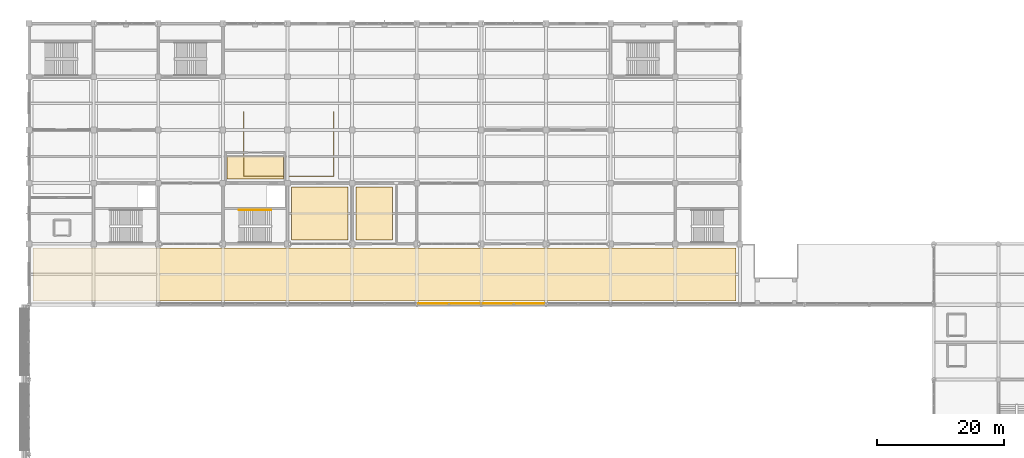
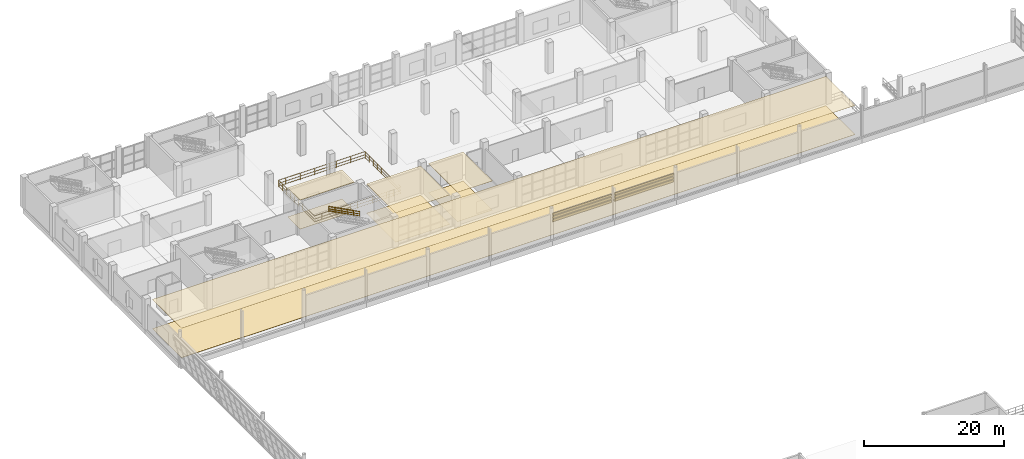
# One storey, part 162 of 175: 14 coverings, 2 railings.
"""IFC4 building model written with IfcOpenShell, lengths in metres."""

from ifc_helpers import new_model, si_unit, direction, frame, origin, origin_2d, place, context, subcontext, project, spatial, polyline, circle, outline, extrude, material, layer, layer_set, type_object, element, save


model = new_model("IFC4")

# Units and contexts
model_context = context("Model", 3, precision=1e-05, world=origin(), true_north=direction((0.0, 1.0)))
body_context = subcontext(model_context, "Body", "Model", "MODEL_VIEW")
ifc_project = project(units=[si_unit("LENGTHUNIT", "METRE"), si_unit("AREAUNIT", "SQUARE_METRE"), si_unit("VOLUMEUNIT", "CUBIC_METRE"), si_unit("PLANEANGLEUNIT", "RADIAN"), si_unit("MASSUNIT", "GRAM", prefix="KILO")], contexts=[model_context])

# Site, building, storey
site_placement = place(None, origin())
site = spatial("IfcSite", under=ifc_project, at=site_placement, CompositionType="ELEMENT")
building_placement = place(site_placement, origin())
building = spatial("IfcBuilding", under=site, at=building_placement, Name="Brelvane Convention Centre", CompositionType="ELEMENT")
storey_placement = place(building_placement, frame((0.0, 0.0, 5.39990234375)))
storey = spatial("IfcBuildingStorey", under=building, at=storey_placement, Name="L01", CompositionType="ELEMENT", Elevation=5.39990234375)

# Coverings
ifc_material_1 = material(Name="Patinated Copper-Bronze Alloy C22000")
ifc_layer_1 = layer(ifc_material_1, 0.044921875)
ifc_layer_set_1 = layer_set([ifc_layer_1], Name="Patinated Copper-Bronze Alloy C22000")
covering_type_1 = type_object("IfcCoveringType", Name="Envelope Covering CL-CU1", PredefinedType="CLADDING", material=ifc_layer_set_1)
covering_1_placement = place(storey_placement, frame((0.0, 0.0, 3.77001953125)))
element("IfcCovering", 1, at=covering_1_placement, inside=storey, type_object=covering_type_1, Name="Copper-Bronze Hull Band L01-V1N-L01-07-1", PredefinedType="CLADDING", context=body_context, shape_type="SweptSolid", body=[
    extrude(outline(polyline([(61.43994140625, 99.740966796875), (71.159912109375, 99.740966796875), (71.159912109375, 99.785888671875), (61.43994140625, 99.785888671875), (61.43994140625, 99.740966796875)])), origin(), (0.0, 0.0, 1.0), 0.380126953125),
])
covering_2_placement = place(storey_placement, frame((0.0, 0.0, 3.77001953125)))
element("IfcCovering", 2, at=covering_2_placement, inside=storey, type_object=covering_type_1, Name="Copper-Bronze Hull Band L01-V1N-L01-08-1", PredefinedType="CLADDING", context=body_context, shape_type="SweptSolid", body=[
    extrude(outline(polyline([(71.639892578125, 99.740966796875), (81.360107421875, 99.740966796875), (81.360107421875, 99.785888671875), (71.639892578125, 99.785888671875), (71.639892578125, 99.740966796875)])), origin(), (0.0, 0.0, 1.0), 0.380126953125),
])
ifc_material_2 = material(Name="Patinated Copper-Bronze Alloy C22000")
ifc_layer_2 = layer(ifc_material_2, 0.054931640625)
ifc_layer_set_2 = layer_set([ifc_layer_2], Name="Patinated Copper-Bronze Alloy C22000")
covering_type_2 = type_object("IfcCoveringType", Name="Envelope Covering CL-CU2", PredefinedType="CLADDING", material=ifc_layer_set_2)
covering_3_placement = place(storey_placement, frame((0.0, 0.0, 3.22021484375)))
element("IfcCovering", 3, at=covering_3_placement, inside=storey, type_object=covering_type_2, Name="Copper-Bronze Hull Band L01-V1N-L01-07-2", PredefinedType="CLADDING", context=body_context, shape_type="SweptSolid", body=[
    extrude(outline(polyline([(61.43994140625, 99.740966796875), (71.159912109375, 99.740966796875), (71.159912109375, 99.7958984375), (61.43994140625, 99.7958984375), (61.43994140625, 99.740966796875)])), origin(), (0.0, 0.0, 1.0), 0.3798828125),
])
covering_4_placement = place(storey_placement, frame((0.0, 0.0, 3.22021484375)))
element("IfcCovering", 4, at=covering_4_placement, inside=storey, type_object=covering_type_2, Name="Copper-Bronze Hull Band L01-V1N-L01-08-2", PredefinedType="CLADDING", context=body_context, shape_type="SweptSolid", body=[
    extrude(outline(polyline([(71.639892578125, 99.740966796875), (81.360107421875, 99.740966796875), (81.360107421875, 99.7958984375), (71.639892578125, 99.7958984375), (71.639892578125, 99.740966796875)])), origin(), (0.0, 0.0, 1.0), 0.3798828125),
])
ifc_material_3 = material(Name="Patinated Copper-Bronze Alloy C22000")
ifc_layer_3 = layer(ifc_material_3, 0.06494140625)
ifc_layer_set_3 = layer_set([ifc_layer_3], Name="Patinated Copper-Bronze Alloy C22000")
covering_type_3 = type_object("IfcCoveringType", Name="Envelope Covering CL-CU3", PredefinedType="CLADDING", material=ifc_layer_set_3)
covering_5_placement = place(storey_placement, frame((0.0, 0.0, 2.670166015625)))
element("IfcCovering", 5, at=covering_5_placement, inside=storey, type_object=covering_type_3, Name="Copper-Bronze Hull Band L01-V1N-L01-07-3", PredefinedType="CLADDING", context=body_context, shape_type="SweptSolid", body=[
    extrude(outline(polyline([(61.43994140625, 99.740966796875), (71.159912109375, 99.740966796875), (71.159912109375, 99.805908203125), (61.43994140625, 99.805908203125), (61.43994140625, 99.740966796875)])), origin(), (0.0, 0.0, 1.0), 0.3798828125),
])
covering_6_placement = place(storey_placement, frame((0.0, 0.0, 2.670166015625)))
element("IfcCovering", 6, at=covering_6_placement, inside=storey, type_object=covering_type_3, Name="Copper-Bronze Hull Band L01-V1N-L01-08-3", PredefinedType="CLADDING", context=body_context, shape_type="SweptSolid", body=[
    extrude(outline(polyline([(71.639892578125, 99.740966796875), (81.360107421875, 99.740966796875), (81.360107421875, 99.805908203125), (71.639892578125, 99.805908203125), (71.639892578125, 99.740966796875)])), origin(), (0.0, 0.0, 1.0), 0.3798828125),
])
ifc_material_4 = material(Name="Perforated Anodised Aluminium Alloy 6063 Acoustic Baffle", Category="aluminium")
ifc_layer_4 = layer(ifc_material_4, 0.06005859375)
ifc_layer_set_4 = layer_set([ifc_layer_4], Name="Perforated Anodised Aluminium Alloy 6063 Acoustic Baffle")
covering_type_4 = type_object("IfcCoveringType", Name="Interior Finish CL-BAF-60", PredefinedType="CEILING", material=ifc_layer_set_4)
covering_7_placement = place(storey_placement, frame((0.0, 0.0, 5.06005859375)))
element("IfcCovering", 7, at=covering_7_placement, inside=storey, type_object=covering_type_4, Name="Firefighting Lift Lobby C7 Acoustic Ceiling (CL-BAF-60)", PredefinedType="CEILING", context=body_context, shape_type="SweptSolid", body=[
    extrude(outline(polyline([(31.22998046875, 119.429931640625), (40.169921875, 119.429931640625), (40.169921875, 122.969970703125), (31.22998046875, 122.969970703125), (31.22998046875, 119.429931640625)])), origin(), (0.0, 0.0, 1.0), 0.06005859375),
])
ifc_material_5 = material(Name="Moisture-Resistant Acoustic Gypsum Ceiling Tile Grade A")
ifc_layer_5 = layer(ifc_material_5, 0.01806640625)
ifc_layer_set_5 = layer_set([ifc_layer_5], Name="Moisture-Resistant Acoustic Gypsum Ceiling Tile Grade A")
covering_type_5 = type_object("IfcCoveringType", Name="Interior Finish CL-GYP-18", PredefinedType="CEILING", material=ifc_layer_set_5)
covering_8_placement = place(storey_placement, frame((0.0, 0.0, 5.10205078125)))
element("IfcCovering", 8, at=covering_8_placement, inside=storey, type_object=covering_type_5, Name="Level 1 Male Restroom Acoustic Ceiling (CL-GYP-18)", PredefinedType="CEILING", context=body_context, shape_type="SweptSolid", body=[
    extrude(outline(polyline([(41.429931640625, 109.830078125), (50.3701171875, 109.830078125), (50.3701171875, 118.169921875), (41.429931640625, 118.169921875), (41.429931640625, 109.830078125)])), origin(), (0.0, 0.0, 1.0), 0.01806640625),
])
ifc_material_6 = material(Name="Moisture-Resistant Acoustic Gypsum Ceiling Tile Grade A")
ifc_layer_6 = layer(ifc_material_6, 0.02490234375)
ifc_layer_set_6 = layer_set([ifc_layer_6], Name="Moisture-Resistant Acoustic Gypsum Ceiling Tile Grade A")
covering_type_6 = type_object("IfcCoveringType", Name="Interior Finish CL-GYP-25", PredefinedType="CEILING", material=ifc_layer_set_6)
covering_9_placement = place(storey_placement, frame((0.0, 0.0, 5.09521484375)))
element("IfcCovering", 9, at=covering_9_placement, inside=storey, type_object=covering_type_6, Name="Pre-function Foyer Meeting L01 Acoustic Ceiling (CL-GYP-25)", PredefinedType="CEILING", context=body_context, shape_type="SweptSolid", body=[
    extrude(outline(polyline([(0.6298828125, 100.22998046875), (111.570068359375, 100.22998046875), (111.570068359375, 108.570068359375), (0.6298828125, 108.570068359375), (0.6298828125, 100.22998046875)])), origin(), (0.0, 0.0, 1.0), 0.02490234375),
])
covering_10_placement = place(storey_placement, frame((0.0, 0.0, 5.09521484375)))
element("IfcCovering", 10, at=covering_10_placement, inside=storey, type_object=covering_type_6, Name="Level 1 Female Restroom Acoustic Ceiling (CL-GYP-25)", PredefinedType="CEILING", context=body_context, shape_type="SweptSolid", body=[
    extrude(outline(polyline([(51.6298828125, 109.830078125), (57.3701171875, 109.830078125), (57.3701171875, 118.169921875), (51.6298828125, 118.169921875), (51.6298828125, 109.830078125)])), origin(), (0.0, 0.0, 1.0), 0.02490234375),
])
ifc_material_7 = material(Name="Solution-Dyed Heavy Contract Wool Carpet Class 1")
ifc_layer_7 = layer(ifc_material_7, 0.02197265625)
ifc_layer_set_7 = layer_set([ifc_layer_7], Name="Solution-Dyed Heavy Contract Wool Carpet Class 1")
covering_type_7 = type_object("IfcCoveringType", Name="Interior Finish FL-CPT-22", PredefinedType="FLOORING", material=ifc_layer_set_7)
covering_11_placement = place(storey_placement, origin())
element("IfcCovering", 11, at=covering_11_placement, inside=storey, type_object=covering_type_7, Name="Level 1 Male Restroom Floor Finish (FL-CPT-22)", PredefinedType="FLOORING", context=body_context, shape_type="SweptSolid", body=[
    extrude(outline(polyline([(41.429931640625, 109.830078125), (50.3701171875, 109.830078125), (50.3701171875, 118.169921875), (41.429931640625, 118.169921875), (41.429931640625, 109.830078125)])), origin(), (0.0, 0.0, 1.0), 0.022216796875),
])
ifc_material_8 = material(Name="Solution-Dyed Heavy Contract Wool Carpet Class 1")
ifc_layer_8 = layer(ifc_material_8, 0.028076171875)
ifc_layer_set_8 = layer_set([ifc_layer_8], Name="Solution-Dyed Heavy Contract Wool Carpet Class 1")
covering_type_8 = type_object("IfcCoveringType", Name="Interior Finish FL-CPT-28", PredefinedType="FLOORING", material=ifc_layer_set_8)
covering_12_placement = place(storey_placement, origin())
element("IfcCovering", 12, at=covering_12_placement, inside=storey, type_object=covering_type_8, Name="Pre-function Foyer Meeting L01 Floor Finish (FL-CPT-28)", PredefinedType="FLOORING", context=body_context, shape_type="SweptSolid", body=[
    extrude(outline(polyline([(0.6298828125, 100.22998046875), (111.570068359375, 100.22998046875), (111.570068359375, 108.570068359375), (0.6298828125, 108.570068359375), (0.6298828125, 100.22998046875)])), origin(), (0.0, 0.0, 1.0), 0.028076171875),
])
covering_13_placement = place(storey_placement, origin())
element("IfcCovering", 13, at=covering_13_placement, inside=storey, type_object=covering_type_8, Name="Level 1 Female Restroom Floor Finish (FL-CPT-28)", PredefinedType="FLOORING", context=body_context, shape_type="SweptSolid", body=[
    extrude(outline(polyline([(51.6298828125, 109.830078125), (57.3701171875, 109.830078125), (57.3701171875, 118.169921875), (51.6298828125, 118.169921875), (51.6298828125, 109.830078125)])), origin(), (0.0, 0.0, 1.0), 0.028076171875),
])
ifc_material_9 = material(Name="Polished Basalt-Aggregate Terrazzo Screed Concrete M30", Category="masonry")
ifc_layer_9 = layer(ifc_material_9, 0.0400390625)
ifc_layer_set_9 = layer_set([ifc_layer_9], Name="Polished Basalt-Aggregate Terrazzo Screed Concrete M30")
covering_type_9 = type_object("IfcCoveringType", Name="Interior Finish FL-TER-40", PredefinedType="FLOORING", material=ifc_layer_set_9)
covering_14_placement = place(storey_placement, origin())
element("IfcCovering", 14, at=covering_14_placement, inside=storey, type_object=covering_type_9, Name="Firefighting Lift Lobby C7 Floor Finish (FL-TER-40)", PredefinedType="FLOORING", context=body_context, shape_type="SweptSolid", body=[
    extrude(outline(polyline([(31.22998046875, 119.429931640625), (40.169921875, 119.429931640625), (40.169921875, 122.969970703125), (31.22998046875, 122.969970703125), (31.22998046875, 119.429931640625)])), origin(), (0.0, 0.0, 1.0), 0.0400390625),
])

# Railings
ifc_material_10 = material(Name="Steel E350 (350 MPa)", Category="steel")
railing_type_1 = type_object("IfcRailingType", Name="Railing BL-ATR-1", PredefinedType="BALUSTRADE", material=ifc_material_10)
railing_1_placement = place(storey_placement, frame((33.8798828125, 119.8798828125, 0.0)))
element("IfcRailing", 15, at=railing_1_placement, inside=storey, type_object=railing_type_1, Name="Railing BL-ATR-1 L01-atrium_well_05", PredefinedType="BALUSTRADE", context=body_context, shape_type="SweptSolid", body=[
    extrude(circle(Radius=0.02392578125, at=origin_2d()), frame((0.0, 0.0, 1.15576171875), z_axis=(1.0, 0.0, 0.0), x_axis=(0.0, 1.0, 0.0)), (0.0, 0.0, 1.0), 14.240234375),
    extrude(circle(Radius=0.02392578125, at=origin_2d()), frame((0.0, 0.0, 0.613525390625), z_axis=(1.0, 0.0, 0.0), x_axis=(0.0, 1.0, 0.0)), (0.0, 0.0, 1.0), 14.240234375),
    extrude(circle(Radius=0.02392578125, at=origin_2d()), frame((0.0, 0.0, 0.139892578125), z_axis=(1.0, 0.0, 0.0), x_axis=(0.0, 1.0, 0.0)), (0.0, 0.0, 1.0), 14.240234375),
    extrude(circle(Radius=0.02392578125, at=origin_2d()), frame((14.240234375, 0.0, 1.15576171875), z_axis=(0.0, 1.0, 0.0), x_axis=(-1.0, 0.0, 0.0)), (0.0, 0.0, 1.0), 10.240234375),
    extrude(circle(Radius=0.02392578125, at=origin_2d()), frame((14.240234375, 0.0, 0.613525390625), z_axis=(0.0, 1.0, 0.0), x_axis=(-1.0, 0.0, 0.0)), (0.0, 0.0, 1.0), 10.240234375),
    extrude(circle(Radius=0.02392578125, at=origin_2d()), frame((14.240234375, 0.0, 0.139892578125), z_axis=(0.0, 1.0, 0.0), x_axis=(-1.0, 0.0, 0.0)), (0.0, 0.0, 1.0), 10.240234375),
    extrude(circle(Radius=0.02392578125, at=origin_2d()), frame((14.240234375, 10.240234375, 1.15576171875), z_axis=(-1.0, 0.0, 0.0), x_axis=(0.0, -1.0, 0.0)), (0.0, 0.0, 1.0), 14.240234375),
    extrude(circle(Radius=0.02392578125, at=origin_2d()), frame((14.240234375, 10.240234375, 0.613525390625), z_axis=(-1.0, 0.0, 0.0), x_axis=(0.0, -1.0, 0.0)), (0.0, 0.0, 1.0), 14.240234375),
    extrude(circle(Radius=0.02392578125, at=origin_2d()), frame((14.240234375, 10.240234375, 0.139892578125), z_axis=(-1.0, 0.0, 0.0), x_axis=(0.0, -1.0, 0.0)), (0.0, 0.0, 1.0), 14.240234375),
    extrude(circle(Radius=0.02392578125, at=origin_2d()), frame((0.0, 10.240234375, 1.15576171875), z_axis=(0.0, -1.0, 0.0), x_axis=(1.0, 0.0, 0.0)), (0.0, 0.0, 1.0), 10.235107421875),
    extrude(circle(Radius=0.02392578125, at=origin_2d()), frame((0.0, 10.240234375, 0.613525390625), z_axis=(0.0, -1.0, 0.0), x_axis=(1.0, 0.0, 0.0)), (0.0, 0.0, 1.0), 10.235107421875),
    extrude(circle(Radius=0.02392578125, at=origin_2d()), frame((0.0, 10.240234375, 0.139892578125), z_axis=(0.0, -1.0, 0.0), x_axis=(1.0, 0.0, 0.0)), (0.0, 0.0, 1.0), 10.235107421875),
    extrude(circle(Radius=0.02099609375, at=origin_2d()), origin(), (0.0, 0.0, 1.0), 1.1318359375),
    extrude(circle(Radius=0.02099609375, at=origin_2d()), frame((1.186767578125, 0.0, 0.0)), (0.0, 0.0, 1.0), 1.1318359375),
    extrude(circle(Radius=0.02099609375, at=origin_2d()), frame((2.373291015625, 0.0, 0.0)), (0.0, 0.0, 1.0), 1.1318359375),
    extrude(circle(Radius=0.02099609375, at=origin_2d()), frame((3.56005859375, 0.0, 0.0)), (0.0, 0.0, 1.0), 1.1318359375),
    extrude(circle(Radius=0.02099609375, at=origin_2d()), frame((4.746826171875, 0.0, 0.0)), (0.0, 0.0, 1.0), 1.1318359375),
    extrude(circle(Radius=0.02099609375, at=origin_2d()), frame((5.933349609375, 0.0, 0.0)), (0.0, 0.0, 1.0), 1.1318359375),
    extrude(circle(Radius=0.02099609375, at=origin_2d()), frame((7.1201171875, 0.0, 0.0)), (0.0, 0.0, 1.0), 1.1318359375),
    extrude(circle(Radius=0.02099609375, at=origin_2d()), frame((8.306884765625, 0.0, 0.0)), (0.0, 0.0, 1.0), 1.1318359375),
    extrude(circle(Radius=0.02099609375, at=origin_2d()), frame((9.493408203125, 0.0, 0.0)), (0.0, 0.0, 1.0), 1.1318359375),
    extrude(circle(Radius=0.02099609375, at=origin_2d()), frame((10.68017578125, 0.0, 0.0)), (0.0, 0.0, 1.0), 1.1318359375),
    extrude(circle(Radius=0.02099609375, at=origin_2d()), frame((11.866943359375, 0.0, 0.0)), (0.0, 0.0, 1.0), 1.1318359375),
    extrude(circle(Radius=0.02099609375, at=origin_2d()), frame((13.053466796875, 0.0, 0.0)), (0.0, 0.0, 1.0), 1.1318359375),
    extrude(circle(Radius=0.02099609375, at=origin_2d()), frame((14.240234375, 0.0, 0.0)), (0.0, 0.0, 1.0), 1.1318359375),
    extrude(circle(Radius=0.02099609375, at=origin_2d()), frame((14.240234375, 1.1376953125, 0.0)), (0.0, 0.0, 1.0), 1.1318359375),
    extrude(circle(Radius=0.02099609375, at=origin_2d()), frame((14.240234375, 2.275634765625, 0.0)), (0.0, 0.0, 1.0), 1.1318359375),
    extrude(circle(Radius=0.02099609375, at=origin_2d()), frame((14.240234375, 3.413330078125, 0.0)), (0.0, 0.0, 1.0), 1.1318359375),
    extrude(circle(Radius=0.02099609375, at=origin_2d()), frame((14.240234375, 4.55126953125, 0.0)), (0.0, 0.0, 1.0), 1.1318359375),
    extrude(circle(Radius=0.02099609375, at=origin_2d()), frame((14.240234375, 5.68896484375, 0.0)), (0.0, 0.0, 1.0), 1.1318359375),
    extrude(circle(Radius=0.02099609375, at=origin_2d()), frame((14.240234375, 6.826904296875, 0.0)), (0.0, 0.0, 1.0), 1.1318359375),
    extrude(circle(Radius=0.02099609375, at=origin_2d()), frame((14.240234375, 7.964599609375, 0.0)), (0.0, 0.0, 1.0), 1.1318359375),
    extrude(circle(Radius=0.02099609375, at=origin_2d()), frame((14.240234375, 9.1025390625, 0.0)), (0.0, 0.0, 1.0), 1.1318359375),
    extrude(circle(Radius=0.02099609375, at=origin_2d()), frame((14.240234375, 10.240234375, 0.0)), (0.0, 0.0, 1.0), 1.1318359375),
    extrude(circle(Radius=0.02099609375, at=origin_2d()), frame((13.053466796875, 10.240234375, 0.0)), (0.0, 0.0, 1.0), 1.1318359375),
    extrude(circle(Radius=0.02099609375, at=origin_2d()), frame((11.866943359375, 10.240234375, 0.0)), (0.0, 0.0, 1.0), 1.1318359375),
    extrude(circle(Radius=0.02099609375, at=origin_2d()), frame((10.68017578125, 10.240234375, 0.0)), (0.0, 0.0, 1.0), 1.1318359375),
    extrude(circle(Radius=0.02099609375, at=origin_2d()), frame((9.493408203125, 10.240234375, 0.0)), (0.0, 0.0, 1.0), 1.1318359375),
    extrude(circle(Radius=0.02099609375, at=origin_2d()), frame((8.306884765625, 10.240234375, 0.0)), (0.0, 0.0, 1.0), 1.1318359375),
    extrude(circle(Radius=0.02099609375, at=origin_2d()), frame((7.1201171875, 10.240234375, 0.0)), (0.0, 0.0, 1.0), 1.1318359375),
    extrude(circle(Radius=0.02099609375, at=origin_2d()), frame((5.933349609375, 10.240234375, 0.0)), (0.0, 0.0, 1.0), 1.1318359375),
    extrude(circle(Radius=0.02099609375, at=origin_2d()), frame((4.746826171875, 10.240234375, 0.0)), (0.0, 0.0, 1.0), 1.1318359375),
    extrude(circle(Radius=0.02099609375, at=origin_2d()), frame((3.56005859375, 10.240234375, 0.0)), (0.0, 0.0, 1.0), 1.1318359375),
    extrude(circle(Radius=0.02099609375, at=origin_2d()), frame((2.373291015625, 10.240234375, 0.0)), (0.0, 0.0, 1.0), 1.1318359375),
    extrude(circle(Radius=0.02099609375, at=origin_2d()), frame((1.186767578125, 10.240234375, 0.0)), (0.0, 0.0, 1.0), 1.1318359375),
    extrude(circle(Radius=0.02099609375, at=origin_2d()), frame((0.0, 10.240234375, 0.0)), (0.0, 0.0, 1.0), 1.1318359375),
    extrude(circle(Radius=0.02099609375, at=origin_2d()), frame((0.0, 9.10302734375, 0.0)), (0.0, 0.0, 1.0), 1.1318359375),
    extrude(circle(Radius=0.02099609375, at=origin_2d()), frame((0.0, 7.9658203125, 0.0)), (0.0, 0.0, 1.0), 1.1318359375),
    extrude(circle(Radius=0.02099609375, at=origin_2d()), frame((0.0, 6.82861328125, 0.0)), (0.0, 0.0, 1.0), 1.1318359375),
    extrude(circle(Radius=0.02099609375, at=origin_2d()), frame((0.0, 5.69140625, 0.0)), (0.0, 0.0, 1.0), 1.1318359375),
    extrude(circle(Radius=0.02099609375, at=origin_2d()), frame((0.0, 4.553955078125, 0.0)), (0.0, 0.0, 1.0), 1.1318359375),
    extrude(circle(Radius=0.02099609375, at=origin_2d()), frame((0.0, 3.416748046875, 0.0)), (0.0, 0.0, 1.0), 1.1318359375),
    extrude(circle(Radius=0.02099609375, at=origin_2d()), frame((0.0, 2.279541015625, 0.0)), (0.0, 0.0, 1.0), 1.1318359375),
    extrude(circle(Radius=0.02099609375, at=origin_2d()), frame((0.0, 1.142333984375, 0.0)), (0.0, 0.0, 1.0), 1.1318359375),
    extrude(circle(Radius=0.02099609375, at=origin_2d()), frame((0.0, 0.005126953125, 0.0)), (0.0, 0.0, 1.0), 1.1318359375),
])
ifc_material_11 = material(Name="Steel E350 (350 MPa)", Category="steel")
railing_type_2 = type_object("IfcRailingType", Name="Stair Railing HR-ST-1", PredefinedType="HANDRAIL", material=ifc_material_11)
railing_2_placement = place(storey_placement, frame((38.25, 114.570068359375, 2.7001953125)))
element("IfcRailing", 16, at=railing_2_placement, inside=storey, type_object=railing_type_2, Name="Stair ST-07 L01 Outer Handrail F2", PredefinedType="HANDRAIL", context=body_context, shape_type="SweptSolid", body=[
    extrude(circle(Radius=0.02392578125, at=origin_2d()), frame((0.0, 0.0, 0.89599609375), z_axis=(-0.885227801088, 0.0, 0.465157758379), x_axis=(0.0, -1.0, 0.0)), (0.0, 0.0, 1.0), 5.76123046875),
    extrude(circle(Radius=0.02392578125, at=origin_2d()), frame((0.0, 0.0, 0.478271484375), z_axis=(-0.885227801088, 0.0, 0.465157758379), x_axis=(0.0, -1.0, 0.0)), (0.0, 0.0, 1.0), 5.76123046875),
    extrude(circle(Radius=0.02392578125, at=origin_2d()), frame((0.0, 0.0, 0.139892578125), z_axis=(-0.885227801088, 0.0, 0.465157758379), x_axis=(0.0, -1.0, 0.0)), (0.0, 0.0, 1.0), 5.76123046875),
    extrude(circle(Radius=0.02099609375, at=origin_2d()), origin(), (0.0, 0.0, 1.0), 0.871826171875),
    extrude(circle(Radius=0.02099609375, at=origin_2d()), frame((-1.02001953125, 0.0, 0.535888671875)), (0.0, 0.0, 1.0), 0.871826171875),
    extrude(circle(Radius=0.02099609375, at=origin_2d()), frame((-2.0400390625, 0.0, 1.072021484375)), (0.0, 0.0, 1.0), 0.871826171875),
    extrude(circle(Radius=0.02099609375, at=origin_2d()), frame((-3.06005859375, 0.0, 1.60791015625)), (0.0, 0.0, 1.0), 0.871826171875),
    extrude(circle(Radius=0.02099609375, at=origin_2d()), frame((-4.080078125, 0.0, 2.14404296875)), (0.0, 0.0, 1.0), 0.871826171875),
    extrude(circle(Radius=0.02099609375, at=origin_2d()), frame((-5.10009765625, 0.0, 2.679931640625)), (0.0, 0.0, 1.0), 0.871826171875),
])

save(model, "model.ifc")
